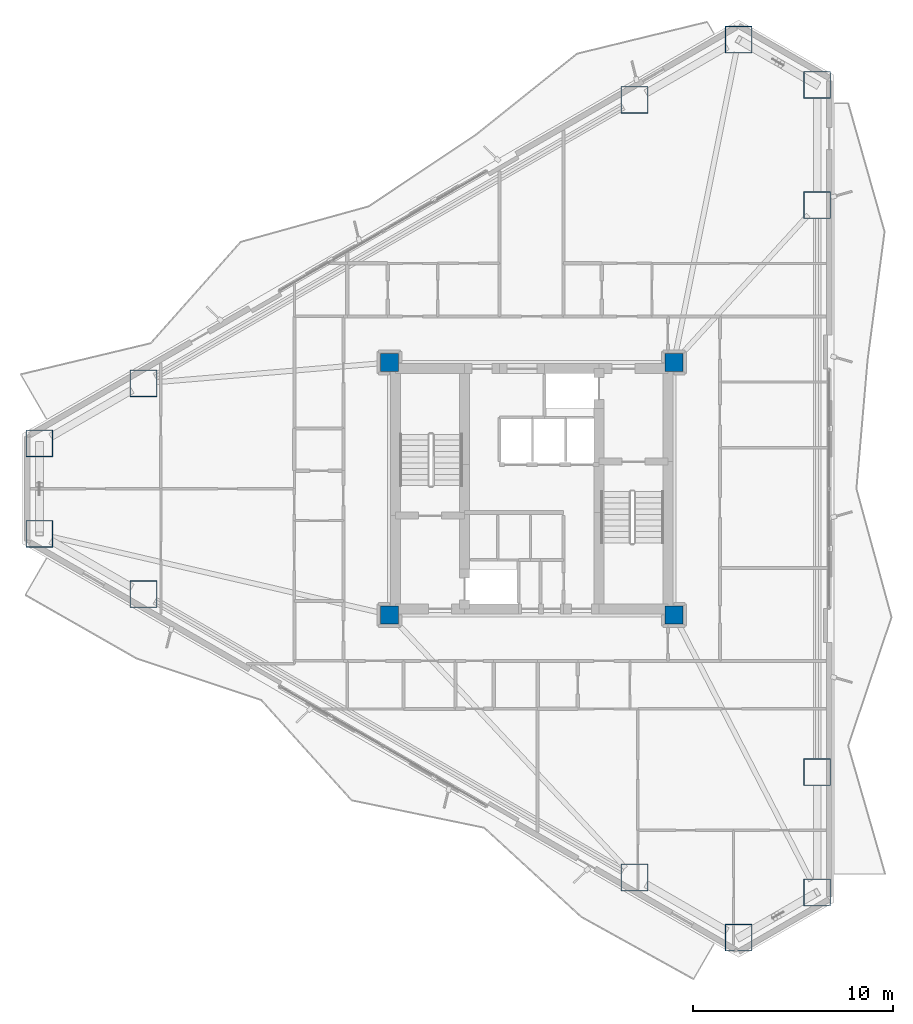
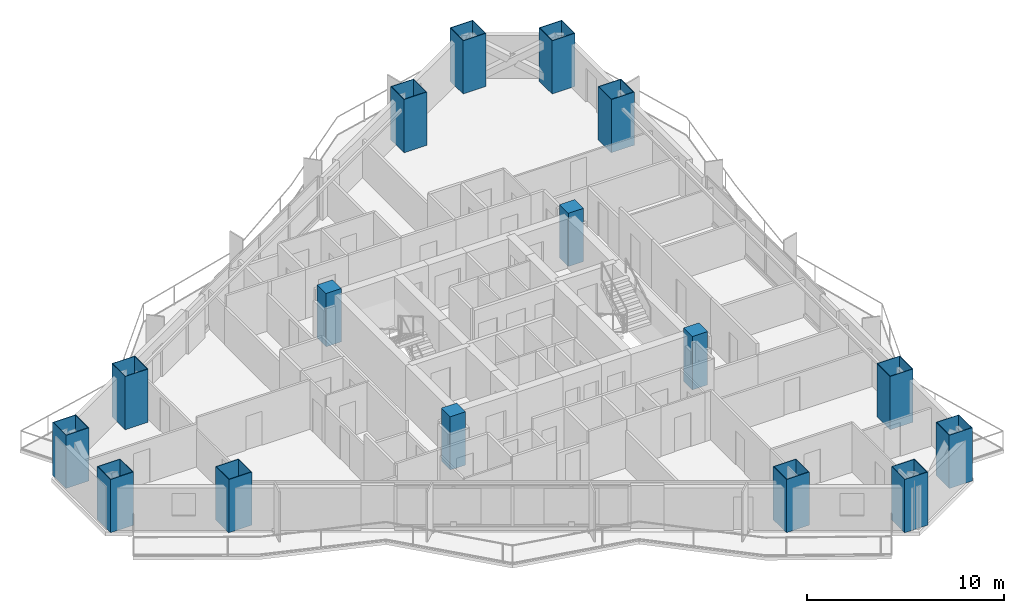
# One storey, part 1 of 19: 16 columns.
"""IFC4 building model written with IfcOpenShell, lengths in metres."""

from ifc_helpers import new_model, si_unit, direction, frame, origin, origin_2d, place, context, subcontext, project, spatial, rectangle, hollow_rectangle, extrude, material, material_profile, profile_set, type_object, element, save


model = new_model("IFC4")

# Units and contexts
model_context = context("Model", 3, precision=1e-05, world=origin(), true_north=direction((0.0, 1.0)))
body_context = subcontext(model_context, "Body", "Model", "MODEL_VIEW")
ifc_project = project(units=[si_unit("LENGTHUNIT", "METRE"), si_unit("AREAUNIT", "SQUARE_METRE"), si_unit("VOLUMEUNIT", "CUBIC_METRE"), si_unit("PLANEANGLEUNIT", "RADIAN"), si_unit("MASSUNIT", "GRAM", prefix="KILO")], contexts=[model_context])

# Site, building, storey
site_placement = place(None, origin())
site = spatial("IfcSite", under=ifc_project, at=site_placement, CompositionType="ELEMENT")
building_placement = place(site_placement, origin())
building = spatial("IfcBuilding", under=site, at=building_placement, Name="Mersakhor Tower and Convention Hall", CompositionType="ELEMENT")
storey_placement = place(building_placement, frame((0.0, 0.0, 42.300048828125)))
storey = spatial("IfcBuildingStorey", under=building, at=storey_placement, Name="L11", CompositionType="ELEMENT", Elevation=42.300048828125)

# Columns
ifc_material_1 = material(Name="Concrete C70/85 in S460M steel box", Category="concrete")
ifc_material_profile_1 = material_profile(ifc_material_1, hollow_rectangle(XDim=1.35009765625, YDim=1.35009765625, WallThickness=0.035888671875, at=origin_2d()), Name="SHS 1350x1350x36")
ifc_profile_set_1 = profile_set([ifc_material_profile_1], Name="Concrete C70/85 in S460M steel box")
column_type_1 = type_object("IfcColumnType", Name="COL-CFT-1350", PredefinedType="COLUMN", material=ifc_profile_set_1)
for number, where, z_axis, x_axis, name in (
    (1, (4.4130859375, 29.00927734375, 0.0), (0.0, 0.0, 1.0), (1.0, 0.0, 0.0), "L11 Perimeter Mega-Column MC-01"),
    (2, (9.61669921875, 32.013671875, 0.0), (0.0, 0.0, 1.0), (1.0, 0.0, 0.0), "L11 Perimeter Mega-Column MC-02"),
    (3, (34.13330078125, 46.168212890625, 0.0), (0.0, 0.0, 1.0), (1.0, 0.0, 0.0), "L11 Perimeter Mega-Column MC-03"),
    (4, (39.3369140625, 49.172607421875, 0.0), (0.0, 0.0, 1.0), (1.0, 0.0, 0.0), "L11 Perimeter Mega-Column MC-04"),
    (5, (43.25, 46.913330078125, 0.0), (0.0, 0.0, 1.0), (1.0, 0.0, 0.0), "L11 Perimeter Mega-Column MC-05"),
    (6, (43.25, 40.904541015625, 0.0), (0.0, 0.0, 1.0), (1.0, 0.0, 0.0), "L11 Perimeter Mega-Column MC-06"),
    (7, (43.25, 12.595458984375, 0.0), (0.0, 0.0, 1.0), (1.0, 0.0, 0.0), "L11 Perimeter Mega-Column MC-07"),
    (8, (43.25, 6.586669921875, 0.0), (0.0, 0.0, 1.0), (1.0, 0.0, 0.0), "L11 Perimeter Mega-Column MC-08"),
    (9, (39.3369140625, 4.327392578125, 0.0), (0.0, 0.0, 1.0), (1.0, 0.0, 0.0), "L11 Perimeter Mega-Column MC-09"),
    (10, (34.13330078125, 7.331787109375, 0.0), (0.0, 0.0, 1.0), (1.0, 0.0, 0.0), "L11 Perimeter Mega-Column MC-10"),
    (11, (9.61669921875, 21.486328125, 0.0), (0.0, 0.0, 1.0), (1.0, 0.0, 0.0), "L11 Perimeter Mega-Column MC-11"),
    (12, (4.4130859375, 24.49072265625, 0.0), (0.0, 0.0, 1.0), (1.0, 0.0, 0.0), "L11 Perimeter Mega-Column MC-12"),
):
    element("IfcColumn", number, at=place(storey_placement, frame(where, z_axis=z_axis, x_axis=x_axis)), inside=storey, type_object=column_type_1, Name=name, PredefinedType="COLUMN", context=body_context, shape_type="SweptSolid", body=[
        extrude(hollow_rectangle(XDim=1.35009765625, YDim=1.35009765625, WallThickness=0.035888671875, at=origin_2d()), origin(), (0.0, 0.0, 1.0), 3.300048828125),
    ])
ifc_material_2 = material(Name="Concrete C60/75", Category="concrete")
ifc_material_profile_2 = material_profile(ifc_material_2, rectangle(XDim=0.89990234375, YDim=0.89990234375, at=origin_2d()), Name="RC 900x900")
ifc_profile_set_2 = profile_set([ifc_material_profile_2], Name="Concrete C60/75")
column_type_2 = type_object("IfcColumnType", Name="COL-RC-900", PredefinedType="COLUMN", material=ifc_profile_set_2)
for number, where, z_axis, x_axis, name in (
    (13, (21.89990234375, 20.449951171875, 0.0), (0.0, 0.0, 1.0), (1.0, 0.0, 0.0), "L11 Core Corner Column CC-1"),
    (14, (21.89990234375, 33.050048828125, 0.0), (0.0, 0.0, 1.0), (1.0, 0.0, 0.0), "L11 Core Corner Column CC-2"),
    (15, (36.10009765625, 33.050048828125, 0.0), (0.0, 0.0, 1.0), (1.0, 0.0, 0.0), "L11 Core Corner Column CC-3"),
    (16, (36.10009765625, 20.449951171875, 0.0), (0.0, 0.0, 1.0), (1.0, 0.0, 0.0), "L11 Core Corner Column CC-4"),
):
    element("IfcColumn", number, at=place(storey_placement, frame(where, z_axis=z_axis, x_axis=x_axis)), inside=storey, type_object=column_type_2, Name=name, PredefinedType="COLUMN", context=body_context, shape_type="SweptSolid", body=[
        extrude(rectangle(XDim=0.89990234375, YDim=0.89990234375, at=origin_2d()), origin(), (0.0, 0.0, 1.0), 3.300048828125),
    ])

save(model, "model.ifc")
